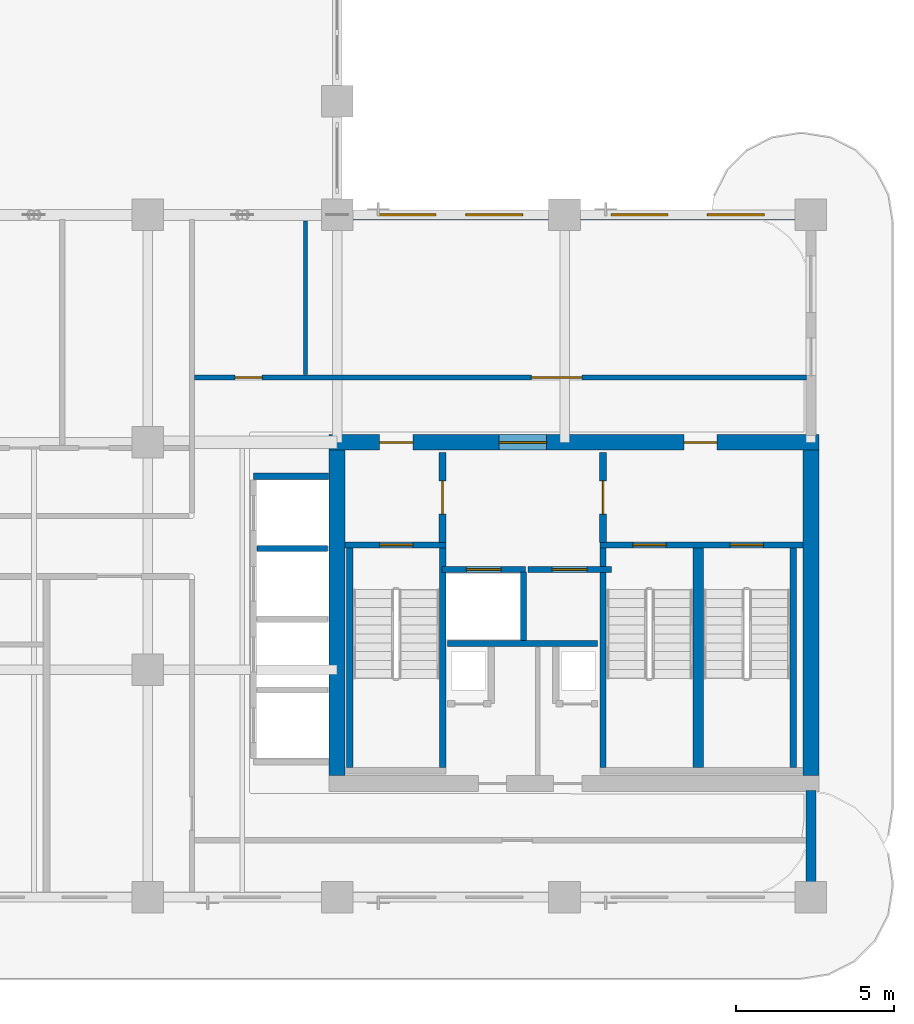
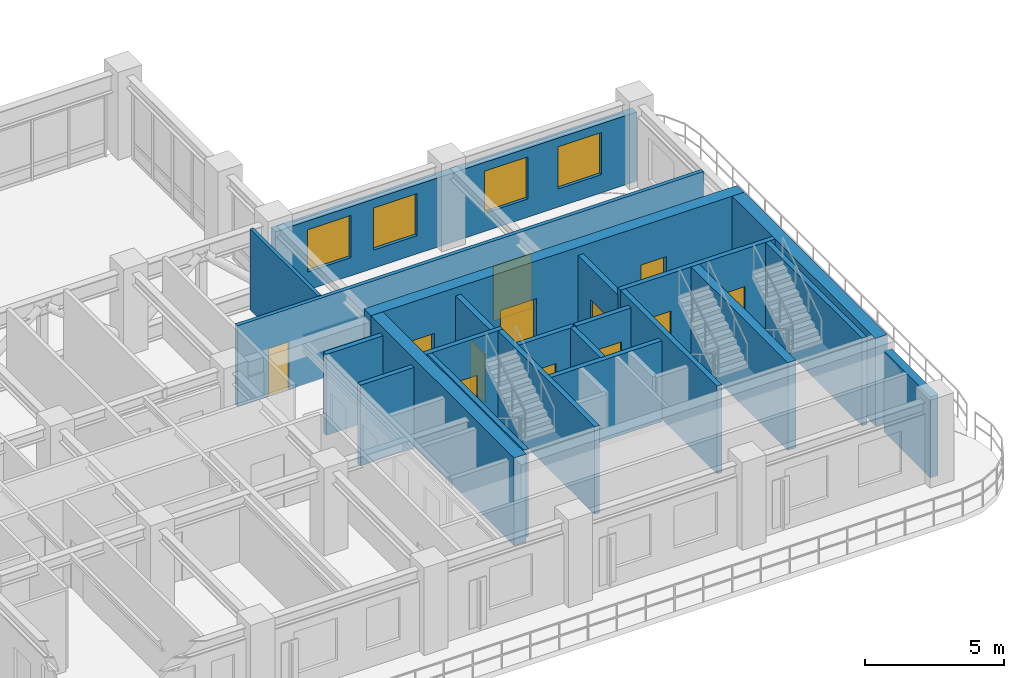
# One storey, part 11 of 17: 22 walls, 12 doors, 4 windows, 16 openings.
"""IFC4 building model written with IfcOpenShell, lengths in metres."""

from ifc_helpers import new_model, si_unit, derived_unit, direction, frame, frame_2d, origin, place, context, subcontext, project, spatial, rectangle, extrude, source, transform, mapped, material, layer, layer_set, type_object, type_shapes, element, fill, save


model = new_model("IFC4")

# Units and contexts
model_context = context("Model", 3, precision=1e-05, world=origin(), true_north=direction((0.0, 1.0)))
body_context = subcontext(model_context, "Body", "Model", "MODEL_VIEW")
ifc_project = project(units=[si_unit("LENGTHUNIT", "METRE"), si_unit("AREAUNIT", "SQUARE_METRE"), si_unit("VOLUMEUNIT", "CUBIC_METRE"), si_unit("PLANEANGLEUNIT", "RADIAN"), si_unit("MASSUNIT", "GRAM", prefix="KILO"), si_unit("THERMODYNAMICTEMPERATUREUNIT", "KELVIN"), si_unit("POWERUNIT", "WATT"), derived_unit("THERMALTRANSMITTANCEUNIT", [(si_unit("POWERUNIT", "WATT"), 1), (si_unit("AREAUNIT", "SQUARE_METRE"), -1), (si_unit("THERMODYNAMICTEMPERATUREUNIT", "KELVIN"), -1)])], contexts=[model_context])

# Site, building, storey
site_placement = place(None, origin())
site = spatial("IfcSite", under=ifc_project, at=site_placement, CompositionType="ELEMENT")
building_placement = place(site_placement, origin())
building = spatial("IfcBuilding", under=site, at=building_placement, Name="Zahravan Archway Hotel and Residences", CompositionType="ELEMENT")
storey_placement = place(building_placement, frame((0.0, 0.0, 192.64990234375)))
storey = spatial("IfcBuildingStorey", under=building, at=storey_placement, Name="L48", CompositionType="ELEMENT", Elevation=192.64990234375)

# Wall, openings, doors
ifc_material_1 = material(Name="Concrete C60/75", Category="concrete")
ifc_layer_1 = layer(ifc_material_1, 0.5, Name="Concrete C60/75", Category="concrete")
ifc_layer_set_1 = layer_set([ifc_layer_1], Name="Concrete C60/75")
wall_type_1 = type_object("IfcWallType", Name="CW-CORE-500", PredefinedType="SHEAR", material=ifc_layer_set_1)
wall_1_placement = place(storey_placement, frame((34.550048828125, 14.39990234375, 0.0), z_axis=(0.0, 0.0, 1.0), x_axis=(1.0, 0.0, 0.0)))
wall_1 = element("IfcWall", 1, at=wall_1_placement, inside=storey, type_object=wall_type_1, Name="L48 Core A Shear N Wall 500 mm", PredefinedType="SHEAR", context=body_context, shape_type="SweptSolid", body=[
    extrude(rectangle(XDim=15.5, YDim=0.5, at=frame_2d((7.75, 0.0))), origin(), (0.0, 0.0, 1.0), 3.85009765625),
])
opening_1_placement = place(wall_1_placement, frame((5.3798828125, 0.0, 0.0)))
opening_1 = element("IfcOpeningElement", 2, at=opening_1_placement, cuts=wall_1, Name="Opening FD-L1", PredefinedType="OPENING", context=body_context, shape_type="SweptSolid", body=[
    extrude(rectangle(XDim=1.5, YDim=2.199951171875, at=frame_2d((0.75, 1.10009765625))), frame((0.0, 0.260009765625, 0.0), z_axis=(0.0, -1.0, 0.0), x_axis=(1.0, 0.0, 0.0)), (0.0, 0.0, 1.0), 0.52001953125),
])
opening_2_placement = place(wall_1_placement, frame((1.594970703125, 0.0, 0.0)))
opening_2 = element("IfcOpeningElement", 3, at=opening_2_placement, cuts=wall_1, Name="Opening FD-L2", PredefinedType="OPENING", context=body_context, shape_type="SweptSolid", body=[
    extrude(rectangle(XDim=1.050048828125, YDim=2.14990234375, at=frame_2d((0.52490234375, 1.074951171875))), frame((0.0, 0.260009765625, 0.0), z_axis=(0.0, -1.0, 0.0), x_axis=(1.0, 0.0, 0.0)), (0.0, 0.0, 1.0), 0.52001953125),
])
opening_3_placement = place(wall_1_placement, frame((11.22509765625, 0.0, 0.0)))
opening_3 = element("IfcOpeningElement", 4, at=opening_3_placement, cuts=wall_1, Name="Opening FD-L2", PredefinedType="OPENING", context=body_context, shape_type="SweptSolid", body=[
    extrude(rectangle(XDim=1.050048828125, YDim=2.14990234375, at=frame_2d((0.52490234375, 1.074951171875))), frame((0.0, 0.260009765625, 0.0), z_axis=(0.0, -1.0, 0.0), x_axis=(1.0, 0.0, 0.0)), (0.0, 0.0, 1.0), 0.52001953125),
])
ifc_material_2 = material(Name="Fire-Rated Painted Steel", Category="steel")
door_type_1 = type_object("IfcDoorType", Name="FD-LOBBY-1100", OperationType="NOTDEFINED", PredefinedType="DOOR", material=ifc_material_2)
shared_shape_1 = source(origin(), body_context, "Body", "SweptSolid", [
    extrude(rectangle(XDim=1.050048828125, YDim=2.14990234375, at=frame_2d((0.52490234375, 1.074951171875))), frame((0.0, 0.02490234375, 0.0), z_axis=(0.0, -1.0, 0.0), x_axis=(1.0, 0.0, 0.0)), (0.0, 0.0, 1.0), 0.050048828125),
])
type_shapes(door_type_1, [shared_shape_1])
door_1_placement = place(opening_2_placement, origin())
door_1 = element("IfcDoor", 5, at=door_1_placement, inside=storey, type_object=door_type_1, Name="L48 Core A West Stair Lobby Door", OperationType="SINGLE_SWING_LEFT", OverallHeight=2.14990234375, OverallWidth=1.050048828125, PredefinedType="DOOR", context=body_context, shape_type="MappedRepresentation", body=[
    mapped(shared_shape_1, transform((0.0, 0.0, 0.0), scale=1.0)),
])
fill(opening_2, door_1)
door_2_placement = place(opening_3_placement, origin())
door_2 = element("IfcDoor", 6, at=door_2_placement, inside=storey, type_object=door_type_1, Name="L48 Core A East Stair Lobby Door", OperationType="SINGLE_SWING_RIGHT", OverallHeight=2.14990234375, OverallWidth=1.050048828125, PredefinedType="DOOR", context=body_context, shape_type="MappedRepresentation", body=[
    mapped(shared_shape_1, transform((0.0, 0.0, 0.0), scale=1.0)),
])
fill(opening_3, door_2)
door_type_2 = type_object("IfcDoorType", Name="FD-LOBBY-1500", OperationType="DOUBLE_DOOR_SINGLE_SWING", PredefinedType="DOOR", material=ifc_material_2)
shared_shape_2 = source(origin(), body_context, "Body", "SweptSolid", [
    extrude(rectangle(XDim=1.5, YDim=2.199951171875, at=frame_2d((0.75, 1.10009765625))), frame((0.0, 0.02490234375, 0.0), z_axis=(0.0, -1.0, 0.0), x_axis=(1.0, 0.0, 0.0)), (0.0, 0.0, 1.0), 0.050048828125),
])
type_shapes(door_type_2, [shared_shape_2])
door_3_placement = place(opening_1_placement, origin())
door_3 = element("IfcDoor", 7, at=door_3_placement, inside=storey, type_object=door_type_2, Name="L48 Core A FSAE Lobby Main Door", OperationType="DOUBLE_DOOR_SINGLE_SWING", OverallHeight=2.199951171875, OverallWidth=1.5, PredefinedType="DOOR", context=body_context, shape_type="MappedRepresentation", body=[
    mapped(shared_shape_2, transform((0.0, 0.0, 0.0), scale=1.0)),
])
fill(opening_1, door_3)

# Walls
for number, where, z_axis, x_axis, name in (
    (8, (34.800048828125, 3.85009765625, 0.0), (0.0, 0.0, 1.0), (0.0, 1.0, 0.0), "L48 Core A Shear W Wall 500 mm"),
    (9, (49.800048828125, 3.85009765625, 0.0), (0.0, 0.0, 1.0), (0.0, 1.0, 0.0), "L48 Core A Shear E Wall 500 mm"),
):
    element("IfcWall", number, at=place(storey_placement, frame(where, z_axis=z_axis, x_axis=x_axis)), inside=storey, type_object=wall_type_1, Name=name, PredefinedType="SHEAR", context=body_context, shape_type="SweptSolid", body=[
        extrude(rectangle(XDim=10.2998046875, YDim=0.5, at=frame_2d((5.14990234375, 0.0))), origin(), (0.0, 0.0, 1.0), 3.85009765625),
    ])
ifc_material_3 = material(Name="Agra Buff Sandstone & Insulated Backup", Category="masonry")
ifc_layer_2 = layer(ifc_material_3, 0.320068359375, Name="Agra Buff Sandstone & Insulated Backup", Category="masonry")
ifc_layer_set_2 = layer_set([ifc_layer_2], Name="Agra Buff Sandstone & Insulated Backup")
wall_type_2 = type_object("IfcWallType", Name="EW-SAND-320", PredefinedType="SOLIDWALL", material=ifc_layer_set_2)
wall_2_placement = place(storey_placement, frame((49.800048828125, 0.050048828125, 0.0), z_axis=(0.0, 0.0, 1.0), x_axis=(0.0, 1.0, 0.0)))
element("IfcWall", 10, at=wall_2_placement, inside=storey, type_object=wall_type_2, Name="L48 Exterior Sandstone Wall WA-ES", PredefinedType="SOLIDWALL", context=body_context, shape_type="SweptSolid", body=[
    extrude(rectangle(XDim=3.329833984375, YDim=0.320068359375, at=frame_2d((1.6650390625, 0.0))), origin(), (0.0, 0.0, 1.0), 3.550048828125),
])

# Wall, openings, windows
wall_3_placement = place(storey_placement, frame((34.800048828125, 21.60009765625, 0.0), z_axis=(0.0, 0.0, 1.0), x_axis=(1.0, 0.0, 0.0)))
wall_3 = element("IfcWall", 11, at=wall_3_placement, inside=storey, type_object=wall_type_2, Name="L48 Exterior Sandstone Wall WA-NE", PredefinedType="SOLIDWALL", context=body_context, shape_type="SweptSolid", body=[
    extrude(rectangle(XDim=15.0, YDim=0.320068359375, at=frame_2d((7.5, 0.0))), origin(), (0.0, 0.0, 1.0), 3.03515625),
])
opening_4_placement = place(wall_3_placement, frame((1.324951171875, 0.0, 0.800048828125)))
opening_4 = element("IfcOpeningElement", 12, at=opening_4_placement, cuts=wall_3, Name="Opening W-02", PredefinedType="OPENING", context=body_context, shape_type="SweptSolid", body=[
    extrude(rectangle(XDim=1.800048828125, YDim=1.85009765625, at=frame_2d((0.89990234375, 0.925048828125))), frame((0.0, 0.169921875, 0.0), z_axis=(0.0, -1.0, 0.0), x_axis=(1.0, 0.0, 0.0)), (0.0, 0.0, 1.0), 0.340087890625),
])
opening_5_placement = place(wall_3_placement, frame((4.074951171875, 0.0, 0.800048828125)))
opening_5 = element("IfcOpeningElement", 13, at=opening_5_placement, cuts=wall_3, Name="Opening W-02", PredefinedType="OPENING", context=body_context, shape_type="SweptSolid", body=[
    extrude(rectangle(XDim=1.800048828125, YDim=1.85009765625, at=frame_2d((0.89990234375, 0.925048828125))), frame((0.0, 0.169921875, 0.0), z_axis=(0.0, -1.0, 0.0), x_axis=(1.0, 0.0, 0.0)), (0.0, 0.0, 1.0), 0.340087890625),
])
opening_6_placement = place(wall_3_placement, frame((8.675048828125, 0.0, 0.800048828125)))
opening_6 = element("IfcOpeningElement", 14, at=opening_6_placement, cuts=wall_3, Name="Opening W-02", PredefinedType="OPENING", context=body_context, shape_type="SweptSolid", body=[
    extrude(rectangle(XDim=1.800048828125, YDim=1.85009765625, at=frame_2d((0.89990234375, 0.925048828125))), frame((0.0, 0.169921875, 0.0), z_axis=(0.0, -1.0, 0.0), x_axis=(1.0, 0.0, 0.0)), (0.0, 0.0, 1.0), 0.340087890625),
])
opening_7_placement = place(wall_3_placement, frame((11.72509765625, 0.0, 0.800048828125)))
opening_7 = element("IfcOpeningElement", 15, at=opening_7_placement, cuts=wall_3, Name="Opening W-02", PredefinedType="OPENING", context=body_context, shape_type="SweptSolid", body=[
    extrude(rectangle(XDim=1.800048828125, YDim=1.85009765625, at=frame_2d((0.89990234375, 0.925048828125))), frame((0.0, 0.169921875, 0.0), z_axis=(0.0, -1.0, 0.0), x_axis=(1.0, 0.0, 0.0)), (0.0, 0.0, 1.0), 0.340087890625),
])
ifc_material_4 = material(Name="Bronze-Anodized Thermal-Break Aluminium & Low-E Glass", Category="aluminium")
window_type = type_object("IfcWindowType", Name="WIN-TWR-1800", PartitioningType="DOUBLE_PANEL_VERTICAL", PredefinedType="WINDOW", material=ifc_material_4)
shared_shape_3 = source(origin(), body_context, "Body", "SweptSolid", [
    extrude(rectangle(XDim=1.800048828125, YDim=1.85009765625, at=frame_2d((0.89990234375, 0.925048828125))), frame((0.0, 0.030029296875, 0.0), z_axis=(0.0, -1.0, 0.0), x_axis=(1.0, 0.0, 0.0)), (0.0, 0.0, 1.0), 0.06005859375),
])
type_shapes(window_type, [shared_shape_3])
window_1_placement = place(opening_4_placement, origin())
window_1 = element("IfcWindow", 16, at=window_1_placement, inside=storey, type_object=window_type, Name="L48 Loggia Window 11", OverallHeight=1.85009765625, OverallWidth=1.800048828125, PartitioningType="DOUBLE_PANEL_VERTICAL", PredefinedType="WINDOW", context=body_context, shape_type="MappedRepresentation", body=[
    mapped(shared_shape_3, transform((0.0, 0.0, 0.0), scale=1.0)),
])
fill(opening_4, window_1)
window_2_placement = place(opening_5_placement, origin())
window_2 = element("IfcWindow", 17, at=window_2_placement, inside=storey, type_object=window_type, Name="L48 Loggia Window 12", OverallHeight=1.85009765625, OverallWidth=1.800048828125, PartitioningType="DOUBLE_PANEL_VERTICAL", PredefinedType="WINDOW", context=body_context, shape_type="MappedRepresentation", body=[
    mapped(shared_shape_3, transform((0.0, 0.0, 0.0), scale=1.0)),
])
fill(opening_5, window_2)
window_3_placement = place(opening_6_placement, origin())
window_3 = element("IfcWindow", 18, at=window_3_placement, inside=storey, type_object=window_type, Name="L48 Loggia Window 13", OverallHeight=1.85009765625, OverallWidth=1.800048828125, PartitioningType="DOUBLE_PANEL_VERTICAL", PredefinedType="WINDOW", context=body_context, shape_type="MappedRepresentation", body=[
    mapped(shared_shape_3, transform((0.0, 0.0, 0.0), scale=1.0)),
])
fill(opening_6, window_3)
window_4_placement = place(opening_7_placement, origin())
window_4 = element("IfcWindow", 19, at=window_4_placement, inside=storey, type_object=window_type, Name="L48 Loggia Window 14", OverallHeight=1.85009765625, OverallWidth=1.800048828125, PartitioningType="DOUBLE_PANEL_VERTICAL", PredefinedType="WINDOW", context=body_context, shape_type="MappedRepresentation", body=[
    mapped(shared_shape_3, transform((0.0, 0.0, 0.0), scale=1.0)),
])
fill(opening_7, window_4)

# Wall, opening, door
ifc_material_5 = material(Name="Fire-Rated Gypsum & Concrete Block", Category="concrete")
ifc_layer_3 = layer(ifc_material_5, 0.219970703125, Name="Fire-Rated Gypsum & Concrete Block", Category="concrete")
ifc_layer_set_3 = layer_set([ifc_layer_3], Name="Fire-Rated Gypsum & Concrete Block")
wall_type_3 = type_object("IfcWallType", Name="PW-COMP-220", PredefinedType="PARTITIONING", material=ifc_layer_set_3)
wall_4_placement = place(storey_placement, frame((38.139892578125, 11.219970703125, 0.0), z_axis=(0.0, 0.0, 1.0), x_axis=(0.0, 1.0, 0.0)))
wall_4 = element("IfcWall", 20, at=wall_4_placement, inside=storey, type_object=wall_type_3, Name="L48 Partition CA-LOBW", PredefinedType="PARTITIONING", context=body_context, shape_type="SweptSolid", body=[
    extrude(rectangle(XDim=2.860107421875, YDim=0.219970703125, at=frame_2d((1.43017578125, 0.0))), origin(), (0.0, 0.0, 1.0), 3.550048828125),
])
opening_8_placement = place(wall_4_placement, frame((0.905029296875, 0.0, 0.0)))
opening_8 = element("IfcOpeningElement", 21, at=opening_8_placement, cuts=wall_4, Name="Opening FD-L2", PredefinedType="OPENING", context=body_context, shape_type="SweptSolid", body=[
    extrude(rectangle(XDim=1.050048828125, YDim=2.14990234375, at=frame_2d((0.52490234375, 1.074951171875))), frame((0.0, 0.1201171875, 0.0), z_axis=(0.0, -1.0, 0.0), x_axis=(1.0, 0.0, 0.0)), (0.0, 0.0, 1.0), 0.239990234375),
])
door_4_placement = place(opening_8_placement, origin())
door_4 = element("IfcDoor", 22, at=door_4_placement, inside=storey, type_object=door_type_1, Name="L48 Core A West Stair to FSAE Lobby Door", OperationType="SINGLE_SWING_LEFT", OverallHeight=2.14990234375, OverallWidth=1.050048828125, PredefinedType="DOOR", context=body_context, shape_type="MappedRepresentation", body=[
    mapped(shared_shape_1, transform((0.0, 0.0, 0.0), scale=1.0)),
])
fill(opening_8, door_4)

wall_5_placement = place(storey_placement, frame((43.219970703125, 11.219970703125, 0.0), z_axis=(0.0, 0.0, 1.0), x_axis=(0.0, 1.0, 0.0)))
wall_5 = element("IfcWall", 23, at=wall_5_placement, inside=storey, type_object=wall_type_3, Name="L48 Partition CA-LOBE", PredefinedType="PARTITIONING", context=body_context, shape_type="SweptSolid", body=[
    extrude(rectangle(XDim=2.860107421875, YDim=0.219970703125, at=frame_2d((1.43017578125, 0.0))), origin(), (0.0, 0.0, 1.0), 3.550048828125),
])
opening_9_placement = place(wall_5_placement, frame((0.905029296875, 0.0, 0.0)))
opening_9 = element("IfcOpeningElement", 24, at=opening_9_placement, cuts=wall_5, Name="Opening FD-L2", PredefinedType="OPENING", context=body_context, shape_type="SweptSolid", body=[
    extrude(rectangle(XDim=1.050048828125, YDim=2.14990234375, at=frame_2d((0.52490234375, 1.074951171875))), frame((0.0, 0.1201171875, 0.0), z_axis=(0.0, -1.0, 0.0), x_axis=(1.0, 0.0, 0.0)), (0.0, 0.0, 1.0), 0.239990234375),
])
door_5_placement = place(opening_9_placement, origin())
door_5 = element("IfcDoor", 25, at=door_5_placement, inside=storey, type_object=door_type_1, Name="L48 Core A East Stair to FSAE Lobby Door", OperationType="SINGLE_SWING_RIGHT", OverallHeight=2.14990234375, OverallWidth=1.050048828125, PredefinedType="DOOR", context=body_context, shape_type="MappedRepresentation", body=[
    mapped(shared_shape_1, transform((0.0, 0.0, 0.0), scale=1.0)),
])
fill(opening_9, door_5)

# Wall, openings, doors
ifc_layer_4 = layer(ifc_material_5, 0.159912109375, Name="Fire-Rated Gypsum & Concrete Block", Category="concrete")
ifc_layer_set_4 = layer_set([ifc_layer_4], Name="Fire-Rated Gypsum & Concrete Block")
wall_type_4 = type_object("IfcWallType", Name="PW-CORR-160", PredefinedType="PARTITIONING", material=ifc_layer_set_4)
wall_6_placement = place(storey_placement, frame((30.2900390625, 16.449951171875, 0.0), z_axis=(0.0, 0.0, 1.0), x_axis=(1.0, 0.0, 0.0)))
wall_6 = element("IfcWall", 26, at=wall_6_placement, inside=storey, type_object=wall_type_4, Name="L48 Partition WA-FN", PredefinedType="PARTITIONING", context=body_context, shape_type="SweptSolid", body=[
    extrude(rectangle(XDim=19.369873046875, YDim=0.159912109375, at=frame_2d((9.68505859375, 0.0))), origin(), (0.0, 0.0, 1.0), 3.550048828125),
])
opening_10_placement = place(wall_6_placement, frame((1.284912109375, 0.0, 0.0)))
opening_10 = element("IfcOpeningElement", 27, at=opening_10_placement, cuts=wall_6, Name="Opening D-B1", PredefinedType="OPENING", context=body_context, shape_type="SweptSolid", body=[
    extrude(rectangle(XDim=0.85009765625, YDim=2.10009765625, at=frame_2d((0.425048828125, 1.050048828125))), frame((0.0, 0.08984375, 0.0), z_axis=(0.0, -1.0, 0.0), x_axis=(1.0, 0.0, 0.0)), (0.0, 0.0, 1.0), 0.179931640625),
])
opening_11_placement = place(wall_6_placement, frame((10.659912109375, 0.0, 0.0)))
opening_11 = element("IfcOpeningElement", 28, at=opening_11_placement, cuts=wall_6, Name="Opening D-P2", PredefinedType="OPENING", context=body_context, shape_type="SweptSolid", body=[
    extrude(rectangle(XDim=1.60009765625, YDim=2.39990234375, at=frame_2d((0.800048828125, 1.199951171875))), frame((0.0, 0.08984375, 0.0), z_axis=(0.0, -1.0, 0.0), x_axis=(1.0, 0.0, 0.0)), (0.0, 0.0, 1.0), 0.179931640625),
])
ifc_material_6 = material(Name="Bronze-Anodized Glazed Aluminium", Category="aluminium")
door_type_3 = type_object("IfcDoorType", Name="ID-PUBLIC-1600", OperationType="DOUBLE_DOOR_SINGLE_SWING", PredefinedType="DOOR", material=ifc_material_6)
shared_shape_4 = source(origin(), body_context, "Body", "SweptSolid", [
    extrude(rectangle(XDim=1.60009765625, YDim=2.39990234375, at=frame_2d((0.800048828125, 1.199951171875))), frame((0.0, 0.02490234375, 0.0), z_axis=(0.0, -1.0, 0.0), x_axis=(1.0, 0.0, 0.0)), (0.0, 0.0, 1.0), 0.050048828125),
])
type_shapes(door_type_3, [shared_shape_4])
door_6_placement = place(opening_11_placement, origin())
door_6 = element("IfcDoor", 29, at=door_6_placement, inside=storey, type_object=door_type_3, Name="L48 North Fitness Gym Door", OperationType="DOUBLE_DOOR_SINGLE_SWING", OverallHeight=2.39990234375, OverallWidth=1.60009765625, PredefinedType="DOOR", context=body_context, shape_type="MappedRepresentation", body=[
    mapped(shared_shape_4, transform((0.0, 0.0, 0.0), scale=1.0)),
])
fill(opening_11, door_6)
ifc_material_7 = material(Name="Hardwood Veneer Timber", Category="wood")
door_type_4 = type_object("IfcDoorType", Name="ID-BATH-850", OperationType="NOTDEFINED", PredefinedType="DOOR", material=ifc_material_7)
shared_shape_5 = source(origin(), body_context, "Body", "SweptSolid", [
    extrude(rectangle(XDim=0.85009765625, YDim=2.10009765625, at=frame_2d((0.425048828125, 1.050048828125))), frame((0.0, 0.02490234375, 0.0), z_axis=(0.0, -1.0, 0.0), x_axis=(1.0, 0.0, 0.0)), (0.0, 0.0, 1.0), 0.050048828125),
])
type_shapes(door_type_4, [shared_shape_5])
door_7_placement = place(opening_10_placement, origin())
door_7 = element("IfcDoor", 30, at=door_7_placement, inside=storey, type_object=door_type_4, Name="L48 Accessible Restroom Door", OperationType="SINGLE_SWING_RIGHT", OverallHeight=2.10009765625, OverallWidth=0.85009765625, PredefinedType="DOOR", context=body_context, shape_type="MappedRepresentation", body=[
    mapped(shared_shape_5, transform((0.0, 0.0, 0.0), scale=1.0)),
])
fill(opening_10, door_7)

# Walls
ifc_layer_5 = layer(ifc_material_5, 0.199951171875, Name="Fire-Rated Gypsum & Concrete Block", Category="concrete")
ifc_layer_set_5 = layer_set([ifc_layer_5], Name="Fire-Rated Gypsum & Concrete Block")
wall_type_5 = type_object("IfcWallType", Name="PW-SHAFT-200", PredefinedType="PARTITIONING", material=ifc_layer_set_5)
wall_7_placement = place(storey_placement, frame((38.300048828125, 8.030029296875, 0.0), z_axis=(0.0, 0.0, 1.0), x_axis=(1.0, 0.0, 0.0)))
element("IfcWall", 31, at=wall_7_placement, inside=storey, type_object=wall_type_5, Name="L48 Partition CA-FLS", PredefinedType="PARTITIONING", context=body_context, shape_type="SweptSolid", body=[
    extrude(rectangle(XDim=4.739990234375, YDim=0.199951171875, at=frame_2d((2.3701171875, 0.0))), origin(), (0.0, 0.0, 1.0), 3.550048828125),
])
wall_8_placement = place(storey_placement, frame((40.699951171875, 8.1201171875, 0.0), z_axis=(0.0, 0.0, 1.0), x_axis=(0.0, 1.0, 0.0)))
element("IfcWall", 32, at=wall_8_placement, inside=storey, type_object=wall_type_5, Name="L48 Partition CA-FLM", PredefinedType="PARTITIONING", context=body_context, shape_type="SweptSolid", body=[
    extrude(rectangle(XDim=2.179931640625, YDim=0.199951171875, at=frame_2d((1.08984375, 0.0))), origin(), (0.0, 0.0, 1.0), 3.550048828125),
])
wall_9_placement = place(storey_placement, frame((32.159912109375, 13.320068359375, 0.0), z_axis=(0.0, 0.0, 1.0), x_axis=(1.0, 0.0, 0.0)))
element("IfcWall", 33, at=wall_9_placement, inside=storey, type_object=wall_type_5, Name="L48 Partition B3-N", PredefinedType="PARTITIONING", context=body_context, shape_type="SweptSolid", body=[
    extrude(rectangle(XDim=2.360107421875, YDim=0.199951171875, at=frame_2d((1.18017578125, 0.0))), origin(), (0.0, 0.0, 1.0), 3.550048828125),
])
wall_10_placement = place(storey_placement, frame((32.260009765625, 11.0400390625, 0.0), z_axis=(0.0, 0.0, 1.0), x_axis=(1.0, 0.0, 0.0)))
element("IfcWall", 34, at=wall_10_placement, inside=storey, type_object=wall_type_5, Name="L48 Partition B3-D", PredefinedType="PARTITIONING", context=body_context, shape_type="SweptSolid", body=[
    extrude(rectangle(XDim=2.22998046875, YDim=0.199951171875, at=frame_2d((1.114990234375, 0.0))), origin(), (0.0, 0.0, 1.0), 3.550048828125),
])

# Wall, opening, door
wall_11_placement = place(storey_placement, frame((38.1201171875, 10.3701171875, 0.0), z_axis=(0.0, 0.0, 1.0), x_axis=(1.0, 0.0, 0.0)))
wall_11 = element("IfcWall", 35, at=wall_11_placement, inside=storey, type_object=wall_type_5, Name="L48 Lift FL-1 Front Wall", PredefinedType="PARTITIONING", context=body_context, shape_type="SweptSolid", body=[
    extrude(rectangle(XDim=2.639892578125, YDim=0.199951171875, at=frame_2d((1.31982421875, 0.0))), origin(), (0.0, 0.0, 1.0), 3.550048828125),
])
opening_12_placement = place(wall_11_placement, frame((0.77001953125, 0.0, 0.0)))
opening_12 = element("IfcOpeningElement", 36, at=opening_12_placement, cuts=wall_11, Name="Opening LD", PredefinedType="OPENING", context=body_context, shape_type="SweptSolid", body=[
    extrude(rectangle(XDim=1.10009765625, YDim=2.199951171875, at=frame_2d((0.550048828125, 1.10009765625))), frame((0.0, 0.10986328125, 0.0), z_axis=(0.0, -1.0, 0.0), x_axis=(1.0, 0.0, 0.0)), (0.0, 0.0, 1.0), 0.219970703125),
])
ifc_material_8 = material(Name="Brushed Stainless Steel", Category="steel")
door_type_5 = type_object("IfcDoorType", Name="DR-LIFT-LD", OperationType="SLIDING_TO_LEFT", PredefinedType="DOOR", material=ifc_material_8)
shared_shape_6 = source(origin(), body_context, "Body", "SweptSolid", [
    extrude(rectangle(XDim=1.10009765625, YDim=2.199951171875, at=frame_2d((0.550048828125, 1.10009765625))), frame((0.0, 0.02490234375, 0.0), z_axis=(0.0, -1.0, 0.0), x_axis=(1.0, 0.0, 0.0)), (0.0, 0.0, 1.0), 0.050048828125),
])
type_shapes(door_type_5, [shared_shape_6])
door_8_placement = place(opening_12_placement, origin())
door_8 = element("IfcDoor", 37, at=door_8_placement, inside=storey, type_object=door_type_5, Name="L48 Lift FL-1 Sliding Landing Door", OperationType="SLIDING_TO_LEFT", OverallHeight=2.199951171875, OverallWidth=1.10009765625, PredefinedType="DOOR", context=body_context, shape_type="MappedRepresentation", body=[
    mapped(shared_shape_6, transform((0.0, 0.0, 0.0), scale=1.0)),
])
fill(opening_12, door_8)

wall_12_placement = place(storey_placement, frame((40.840087890625, 10.3701171875, 0.0), z_axis=(0.0, 0.0, 1.0), x_axis=(1.0, 0.0, 0.0)))
wall_12 = element("IfcWall", 38, at=wall_12_placement, inside=storey, type_object=wall_type_5, Name="L48 Lift FL-2 Front Wall", PredefinedType="PARTITIONING", context=body_context, shape_type="SweptSolid", body=[
    extrude(rectangle(XDim=2.639892578125, YDim=0.199951171875, at=frame_2d((1.31982421875, 0.0))), origin(), (0.0, 0.0, 1.0), 3.550048828125),
])
opening_13_placement = place(wall_12_placement, frame((0.77001953125, 0.0, 0.0)))
opening_13 = element("IfcOpeningElement", 39, at=opening_13_placement, cuts=wall_12, Name="Opening LD", PredefinedType="OPENING", context=body_context, shape_type="SweptSolid", body=[
    extrude(rectangle(XDim=1.10009765625, YDim=2.199951171875, at=frame_2d((0.550048828125, 1.10009765625))), frame((0.0, 0.10986328125, 0.0), z_axis=(0.0, -1.0, 0.0), x_axis=(1.0, 0.0, 0.0)), (0.0, 0.0, 1.0), 0.219970703125),
])
door_9_placement = place(opening_13_placement, origin())
door_9 = element("IfcDoor", 40, at=door_9_placement, inside=storey, type_object=door_type_5, Name="L48 Lift FL-2 Sliding Landing Door", OperationType="SLIDING_TO_LEFT", OverallHeight=2.199951171875, OverallWidth=1.10009765625, PredefinedType="DOOR", context=body_context, shape_type="MappedRepresentation", body=[
    mapped(shared_shape_6, transform((0.0, 0.0, 0.0), scale=1.0)),
])
fill(opening_13, door_9)

# Walls
ifc_material_9 = material(Name="Moisture-Resistant Blockwork", Category="masonry")
ifc_layer_6 = layer(ifc_material_9, 0.139892578125, Name="Moisture-Resistant Blockwork", Category="masonry")
ifc_layer_set_6 = layer_set([ifc_layer_6], Name="Moisture-Resistant Blockwork")
wall_type_6 = type_object("IfcWallType", Name="PW-WET-140", PredefinedType="PARTITIONING", material=ifc_layer_set_6)
wall_13_placement = place(storey_placement, frame((33.800048828125, 16.5400390625, 0.0), z_axis=(0.0, 0.0, 1.0), x_axis=(0.0, 1.0, 0.0)))
element("IfcWall", 41, at=wall_13_placement, inside=storey, type_object=wall_type_6, Name="L48 Partition NE1-1", PredefinedType="PARTITIONING", context=body_context, shape_type="SweptSolid", body=[
    extrude(rectangle(XDim=4.869873046875, YDim=0.139892578125, at=frame_2d((2.43505859375, 0.0))), origin(), (0.0, 0.0, 1.0), 3.550048828125),
])
ifc_material_10 = material(Name="Concrete C50/60", Category="concrete")
ifc_layer_7 = layer(ifc_material_10, 0.199951171875, Name="Concrete C50/60", Category="concrete")
ifc_layer_set_7 = layer_set([ifc_layer_7], Name="Concrete C50/60")
wall_type_7 = type_object("IfcWallType", Name="SW-STAIR-200", PredefinedType="SHEAR", material=ifc_layer_set_7)
for number, where, z_axis, x_axis, name in (
    (42, (35.199951171875, 4.10009765625, 0.0), (0.0, 0.0, 1.0), (0.0, 1.0, 0.0), "L48 Stairwell RC Wall CA-SA1W"),
    (43, (38.139892578125, 4.10009765625, 0.0), (0.0, 0.0, 1.0), (0.0, 1.0, 0.0), "L48 Stairwell RC Wall CA-SA1E"),
):
    element("IfcWall", number, at=place(storey_placement, frame(where, z_axis=z_axis, x_axis=x_axis)), inside=storey, type_object=wall_type_7, Name=name, PredefinedType="SHEAR", context=body_context, shape_type="SweptSolid", body=[
        extrude(rectangle(XDim=6.949951171875, YDim=0.199951171875, at=frame_2d((3.47509765625, 0.0))), origin(), (0.0, 0.0, 1.0), 3.85009765625),
    ])

# Wall, opening, door
wall_14_placement = place(storey_placement, frame((35.050048828125, 11.14990234375, 0.0), z_axis=(0.0, 0.0, 1.0), x_axis=(1.0, 0.0, 0.0)))
wall_14 = element("IfcWall", 44, at=wall_14_placement, inside=storey, type_object=wall_type_7, Name="L48 Stairwell RC Wall CA-SA1N", PredefinedType="SHEAR", context=body_context, shape_type="SweptSolid", body=[
    extrude(rectangle(XDim=3.18994140625, YDim=0.199951171875, at=frame_2d((1.594970703125, 0.0))), origin(), (0.0, 0.0, 1.0), 3.85009765625),
])
opening_14_placement = place(wall_14_placement, frame((1.094970703125, 0.0, 0.0)))
opening_14 = element("IfcOpeningElement", 45, at=opening_14_placement, cuts=wall_14, Name="Opening FD-S1", PredefinedType="OPENING", context=body_context, shape_type="SweptSolid", body=[
    extrude(rectangle(XDim=1.050048828125, YDim=2.199951171875, at=frame_2d((0.52490234375, 1.10009765625))), frame((0.0, 0.10986328125, 0.0), z_axis=(0.0, -1.0, 0.0), x_axis=(1.0, 0.0, 0.0)), (0.0, 0.0, 1.0), 0.219970703125),
])
door_type_6 = type_object("IfcDoorType", Name="FD-STAIR-1100", OperationType="NOTDEFINED", PredefinedType="DOOR", material=ifc_material_2)
shared_shape_7 = source(origin(), body_context, "Body", "SweptSolid", [
    extrude(rectangle(XDim=1.050048828125, YDim=2.199951171875, at=frame_2d((0.52490234375, 1.10009765625))), frame((0.0, 0.02490234375, 0.0), z_axis=(0.0, -1.0, 0.0), x_axis=(1.0, 0.0, 0.0)), (0.0, 0.0, 1.0), 0.050048828125),
])
type_shapes(door_type_6, [shared_shape_7])
door_10_placement = place(opening_14_placement, origin())
door_10 = element("IfcDoor", 46, at=door_10_placement, inside=storey, type_object=door_type_6, Name="L48 Stair ST-A1 Door", OperationType="SINGLE_SWING_RIGHT", OverallHeight=2.199951171875, OverallWidth=1.050048828125, PredefinedType="DOOR", context=body_context, shape_type="MappedRepresentation", body=[
    mapped(shared_shape_7, transform((0.0, 0.0, 0.0), scale=1.0)),
])
fill(opening_14, door_10)

# Walls
for number, where, z_axis, x_axis, name in (
    (47, (43.219970703125, 4.10009765625, 0.0), (0.0, 0.0, 1.0), (0.0, 1.0, 0.0), "L48 Stairwell RC Wall CA-SA2W"),
    (48, (49.239990234375, 4.10009765625, 0.0), (0.0, 0.0, 1.0), (0.0, 1.0, 0.0), "L48 Stairwell RC Wall CA-SA3E"),
):
    element("IfcWall", number, at=place(storey_placement, frame(where, z_axis=z_axis, x_axis=x_axis)), inside=storey, type_object=wall_type_7, Name=name, PredefinedType="SHEAR", context=body_context, shape_type="SweptSolid", body=[
        extrude(rectangle(XDim=6.949951171875, YDim=0.199951171875, at=frame_2d((3.47509765625, 0.0))), origin(), (0.0, 0.0, 1.0), 3.85009765625),
    ])

# Wall, openings, doors
wall_15_placement = place(storey_placement, frame((43.1201171875, 11.14990234375, 0.0), z_axis=(0.0, 0.0, 1.0), x_axis=(1.0, 0.0, 0.0)))
wall_15 = element("IfcWall", 49, at=wall_15_placement, inside=storey, type_object=wall_type_7, Name="L48 Stairwell RC Wall CA-SA23N", PredefinedType="SHEAR", context=body_context, shape_type="SweptSolid", body=[
    extrude(rectangle(XDim=6.429931640625, YDim=0.199951171875, at=frame_2d((3.21484375, 0.0))), origin(), (0.0, 0.0, 1.0), 3.85009765625),
])
opening_15_placement = place(wall_15_placement, frame((1.044921875, 0.0, 0.0)))
opening_15 = element("IfcOpeningElement", 50, at=opening_15_placement, cuts=wall_15, Name="Opening FD-S1", PredefinedType="OPENING", context=body_context, shape_type="SweptSolid", body=[
    extrude(rectangle(XDim=1.050048828125, YDim=2.199951171875, at=frame_2d((0.52490234375, 1.10009765625))), frame((0.0, 0.10986328125, 0.0), z_axis=(0.0, -1.0, 0.0), x_axis=(1.0, 0.0, 0.0)), (0.0, 0.0, 1.0), 0.219970703125),
])
opening_16_placement = place(wall_15_placement, frame((4.125, 0.0, 0.0)))
opening_16 = element("IfcOpeningElement", 51, at=opening_16_placement, cuts=wall_15, Name="Opening FD-S1", PredefinedType="OPENING", context=body_context, shape_type="SweptSolid", body=[
    extrude(rectangle(XDim=1.050048828125, YDim=2.199951171875, at=frame_2d((0.52490234375, 1.10009765625))), frame((0.0, 0.10986328125, 0.0), z_axis=(0.0, -1.0, 0.0), x_axis=(1.0, 0.0, 0.0)), (0.0, 0.0, 1.0), 0.219970703125),
])
door_11_placement = place(opening_15_placement, origin())
door_11 = element("IfcDoor", 52, at=door_11_placement, inside=storey, type_object=door_type_6, Name="L48 Stair ST-A2 Door", OperationType="SINGLE_SWING_LEFT", OverallHeight=2.199951171875, OverallWidth=1.050048828125, PredefinedType="DOOR", context=body_context, shape_type="MappedRepresentation", body=[
    mapped(shared_shape_7, transform((0.0, 0.0, 0.0), scale=1.0)),
])
fill(opening_15, door_11)
door_12_placement = place(opening_16_placement, origin())
door_12 = element("IfcDoor", 53, at=door_12_placement, inside=storey, type_object=door_type_6, Name="L48 Stair ST-A3 Door", OperationType="SINGLE_SWING_RIGHT", OverallHeight=2.199951171875, OverallWidth=1.050048828125, PredefinedType="DOOR", context=body_context, shape_type="MappedRepresentation", body=[
    mapped(shared_shape_7, transform((0.0, 0.0, 0.0), scale=1.0)),
])
fill(opening_16, door_12)

# Wall
ifc_layer_8 = layer(ifc_material_10, 0.340087890625, Name="Concrete C50/60", Category="concrete")
ifc_layer_set_8 = layer_set([ifc_layer_8], Name="Concrete C50/60")
wall_type_8 = type_object("IfcWallType", Name="SW-STAIR-340", PredefinedType="SHEAR", material=ifc_layer_set_8)
wall_16_placement = place(storey_placement, frame((46.22998046875, 4.10009765625, 0.0), z_axis=(0.0, 0.0, 1.0), x_axis=(0.0, 1.0, 0.0)))
element("IfcWall", 54, at=wall_16_placement, inside=storey, type_object=wall_type_8, Name="L48 Stairwell RC Wall CA-SA23M", PredefinedType="SHEAR", context=body_context, shape_type="SweptSolid", body=[
    extrude(rectangle(XDim=6.949951171875, YDim=0.340087890625, at=frame_2d((3.47509765625, 0.0))), origin(), (0.0, 0.0, 1.0), 3.85009765625),
])

save(model, "model.ifc")
